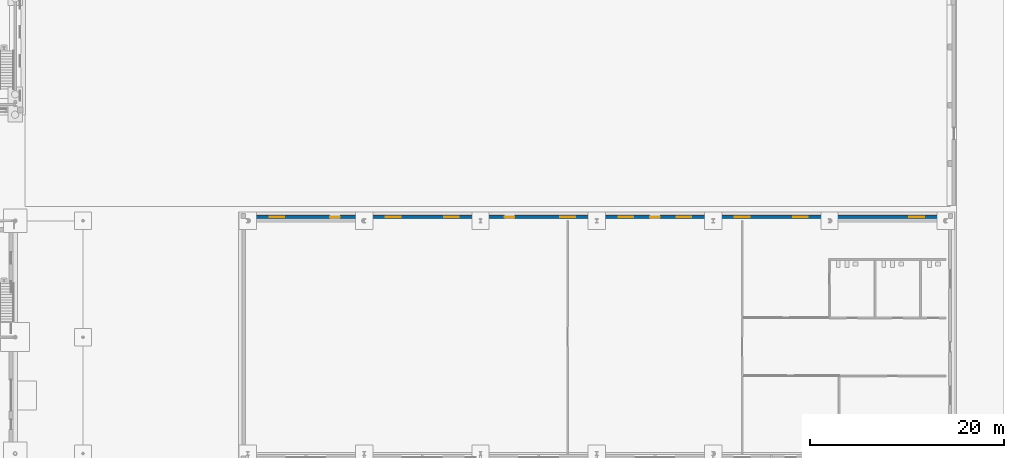
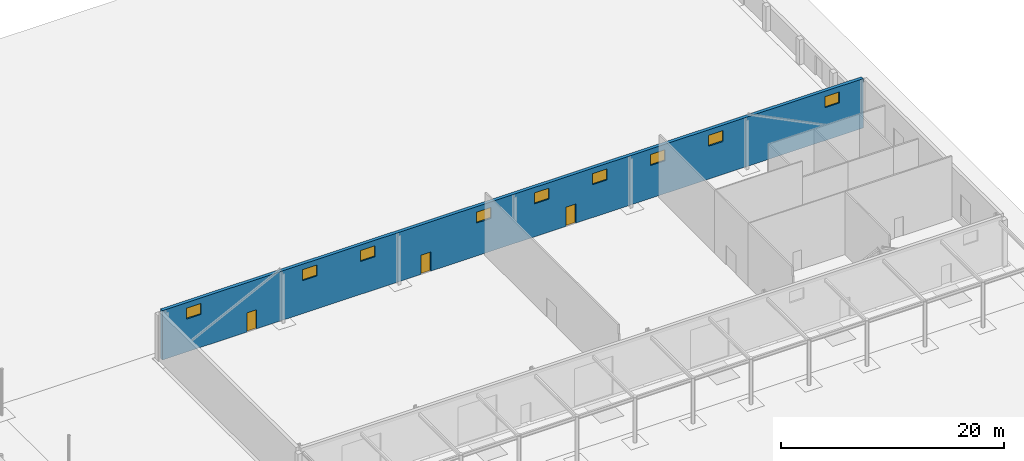
# One storey, part 84 of 132: 9 windows, 3 doors, 1 wall, 12 openings.
"""IFC4 building model written with IfcOpenShell, lengths in metres."""

from ifc_helpers import new_model, si_unit, direction, frame, frame_2d, origin, place, context, subcontext, project, spatial, rectangle, extrude, material, layer, layer_set, type_object, element, fill, save


model = new_model("IFC4")

# Units and contexts
model_context = context("Model", 3, precision=1e-05, world=origin(), true_north=direction((0.0, 1.0)))
body_context = subcontext(model_context, "Body", "Model", "MODEL_VIEW")
ifc_project = project(units=[si_unit("LENGTHUNIT", "METRE"), si_unit("AREAUNIT", "SQUARE_METRE"), si_unit("VOLUMEUNIT", "CUBIC_METRE"), si_unit("PLANEANGLEUNIT", "RADIAN"), si_unit("MASSUNIT", "GRAM", prefix="KILO")], contexts=[model_context])

# Site, building, storey
site_placement = place(None, origin())
site = spatial("IfcSite", under=ifc_project, at=site_placement, CompositionType="ELEMENT")
building_placement = place(site_placement, origin())
building = spatial("IfcBuilding", under=site, at=building_placement, Name="Ravi Spectrum Wholesale Market", CompositionType="ELEMENT")
storey_placement = place(building_placement, origin())
storey = spatial("IfcBuildingStorey", under=building, at=storey_placement, Name="L00", CompositionType="ELEMENT", Elevation=0.0)

# Wall, openings, windows, doors
ifc_material_1 = material(Name="Clinker brickwork", Category="masonry")
ifc_layer = layer(ifc_material_1, 0.340087890625)
ifc_layer_set = layer_set([ifc_layer], Name="Clinker brickwork")
wall_type = type_object("IfcWallType", Name="Brick 340 clinker", PredefinedType="SOLIDWALL", material=ifc_layer_set)
wall_placement = place(storey_placement, frame((294.25, 186.419921875, 0.0), z_axis=(0.0, 0.0, 1.0), x_axis=(-1.0, 0.0, 0.0)))
wall = element("IfcWall", 1, at=wall_placement, inside=storey, type_object=wall_type, Name="GS-WL-L00-003", PredefinedType="SOLIDWALL", context=body_context, shape_type="SweptSolid", body=[
    extrude(rectangle(XDim=72.5, YDim=0.340087890625, at=frame_2d((36.25, 0.0))), origin(), (0.0, 0.0, 1.0), 5.39990234375),
])
opening_1_placement = place(wall_placement, frame((30.75, 0.0, 0.0), z_axis=(0.0, 0.0, 1.0), x_axis=(-1.0, 0.0, 0.0)))
opening_1 = element("IfcOpeningElement", 2, at=opening_1_placement, cuts=wall, Name="Opening D720", PredefinedType="OPENING", context=body_context, shape_type="SweptSolid", body=[
    extrude(rectangle(XDim=1.0, YDim=2.10009765625, at=frame_2d((0.5, 1.050048828125))), frame((0.0, 0.179931640625, 0.0), z_axis=(0.0, -1.0, 0.0), x_axis=(1.0, 0.0, 0.0)), (0.0, 0.0, 1.0), 0.360107421875),
])
opening_2_placement = place(wall_placement, frame((45.75, 0.0, 0.0), z_axis=(0.0, 0.0, 1.0), x_axis=(-1.0, 0.0, 0.0)))
opening_2 = element("IfcOpeningElement", 3, at=opening_2_placement, cuts=wall, Name="Opening D717", PredefinedType="OPENING", context=body_context, shape_type="SweptSolid", body=[
    extrude(rectangle(XDim=1.0, YDim=2.10009765625, at=frame_2d((0.5, 1.050048828125))), frame((0.0, 0.179931640625, 0.0), z_axis=(0.0, -1.0, 0.0), x_axis=(1.0, 0.0, 0.0)), (0.0, 0.0, 1.0), 0.360107421875),
])
opening_3_placement = place(wall_placement, frame((63.75, 0.0, 0.0), z_axis=(0.0, 0.0, 1.0), x_axis=(-1.0, 0.0, 0.0)))
opening_3 = element("IfcOpeningElement", 4, at=opening_3_placement, cuts=wall, Name="Opening D716", PredefinedType="OPENING", context=body_context, shape_type="SweptSolid", body=[
    extrude(rectangle(XDim=1.0, YDim=2.10009765625, at=frame_2d((0.5, 1.050048828125))), frame((0.0, 0.179931640625, 0.0), z_axis=(0.0, -1.0, 0.0), x_axis=(1.0, 0.0, 0.0)), (0.0, 0.0, 1.0), 0.360107421875),
])
opening_4_placement = place(wall_placement, frame((2.5, 0.0, 3.60009765625)))
opening_4 = element("IfcOpeningElement", 5, at=opening_4_placement, cuts=wall, Name="Opening W3605", PredefinedType="OPENING", context=body_context, shape_type="SweptSolid", body=[
    extrude(rectangle(XDim=1.5, YDim=1.199951171875, at=frame_2d((0.75, 0.60009765625))), frame((0.0, 0.179931640625, 0.0), z_axis=(0.0, -1.0, 0.0), x_axis=(1.0, 0.0, 0.0)), (0.0, 0.0, 1.0), 0.360107421875),
])
opening_5_placement = place(wall_placement, frame((14.5, 0.0, 3.60009765625)))
opening_5 = element("IfcOpeningElement", 6, at=opening_5_placement, cuts=wall, Name="Opening W3607", PredefinedType="OPENING", context=body_context, shape_type="SweptSolid", body=[
    extrude(rectangle(XDim=1.5, YDim=1.199951171875, at=frame_2d((0.75, 0.60009765625))), frame((0.0, 0.179931640625, 0.0), z_axis=(0.0, -1.0, 0.0), x_axis=(1.0, 0.0, 0.0)), (0.0, 0.0, 1.0), 0.360107421875),
])
opening_6_placement = place(wall_placement, frame((20.5, 0.0, 3.60009765625)))
opening_6 = element("IfcOpeningElement", 7, at=opening_6_placement, cuts=wall, Name="Opening W3608", PredefinedType="OPENING", context=body_context, shape_type="SweptSolid", body=[
    extrude(rectangle(XDim=1.5, YDim=1.199951171875, at=frame_2d((0.75, 0.60009765625))), frame((0.0, 0.179931640625, 0.0), z_axis=(0.0, -1.0, 0.0), x_axis=(1.0, 0.0, 0.0)), (0.0, 0.0, 1.0), 0.360107421875),
])
opening_7_placement = place(wall_placement, frame((26.5, 0.0, 3.60009765625)))
opening_7 = element("IfcOpeningElement", 8, at=opening_7_placement, cuts=wall, Name="Opening W3609", PredefinedType="OPENING", context=body_context, shape_type="SweptSolid", body=[
    extrude(rectangle(XDim=1.5, YDim=1.199951171875, at=frame_2d((0.75, 0.60009765625))), frame((0.0, 0.179931640625, 0.0), z_axis=(0.0, -1.0, 0.0), x_axis=(1.0, 0.0, 0.0)), (0.0, 0.0, 1.0), 0.360107421875),
])
opening_8_placement = place(wall_placement, frame((32.5, 0.0, 3.60009765625)))
opening_8 = element("IfcOpeningElement", 9, at=opening_8_placement, cuts=wall, Name="Opening W3610", PredefinedType="OPENING", context=body_context, shape_type="SweptSolid", body=[
    extrude(rectangle(XDim=1.5, YDim=1.199951171875, at=frame_2d((0.75, 0.60009765625))), frame((0.0, 0.179931640625, 0.0), z_axis=(0.0, -1.0, 0.0), x_axis=(1.0, 0.0, 0.0)), (0.0, 0.0, 1.0), 0.360107421875),
])
opening_9_placement = place(wall_placement, frame((38.5, 0.0, 3.60009765625)))
opening_9 = element("IfcOpeningElement", 10, at=opening_9_placement, cuts=wall, Name="Opening W3611", PredefinedType="OPENING", context=body_context, shape_type="SweptSolid", body=[
    extrude(rectangle(XDim=1.5, YDim=1.199951171875, at=frame_2d((0.75, 0.60009765625))), frame((0.0, 0.179931640625, 0.0), z_axis=(0.0, -1.0, 0.0), x_axis=(1.0, 0.0, 0.0)), (0.0, 0.0, 1.0), 0.360107421875),
])
opening_10_placement = place(wall_placement, frame((50.5, 0.0, 3.60009765625)))
opening_10 = element("IfcOpeningElement", 11, at=opening_10_placement, cuts=wall, Name="Opening W3612", PredefinedType="OPENING", context=body_context, shape_type="SweptSolid", body=[
    extrude(rectangle(XDim=1.5, YDim=1.199951171875, at=frame_2d((0.75, 0.60009765625))), frame((0.0, 0.179931640625, 0.0), z_axis=(0.0, -1.0, 0.0), x_axis=(1.0, 0.0, 0.0)), (0.0, 0.0, 1.0), 0.360107421875),
])
opening_11_placement = place(wall_placement, frame((56.5, 0.0, 3.60009765625)))
opening_11 = element("IfcOpeningElement", 12, at=opening_11_placement, cuts=wall, Name="Opening W3613", PredefinedType="OPENING", context=body_context, shape_type="SweptSolid", body=[
    extrude(rectangle(XDim=1.5, YDim=1.199951171875, at=frame_2d((0.75, 0.60009765625))), frame((0.0, 0.179931640625, 0.0), z_axis=(0.0, -1.0, 0.0), x_axis=(1.0, 0.0, 0.0)), (0.0, 0.0, 1.0), 0.360107421875),
])
opening_12_placement = place(wall_placement, frame((68.5, 0.0, 3.60009765625)))
opening_12 = element("IfcOpeningElement", 13, at=opening_12_placement, cuts=wall, Name="Opening W3614", PredefinedType="OPENING", context=body_context, shape_type="SweptSolid", body=[
    extrude(rectangle(XDim=1.5, YDim=1.199951171875, at=frame_2d((0.75, 0.60009765625))), frame((0.0, 0.179931640625, 0.0), z_axis=(0.0, -1.0, 0.0), x_axis=(1.0, 0.0, 0.0)), (0.0, 0.0, 1.0), 0.360107421875),
])
ifc_material_2 = material(Name="Steel window frame", Category="steel")
window_type = type_object("IfcWindowType", Name="High level store window 1500 x 1200", PartitioningType="SINGLE_PANEL", PredefinedType="WINDOW", material=ifc_material_2)
window_1_placement = place(opening_4_placement, origin())
window_1 = element("IfcWindow", 14, at=window_1_placement, inside=storey, type_object=window_type, Name="Window W3605", OverallHeight=1.199951171875, OverallWidth=1.5, PartitioningType="SINGLE_PANEL", PredefinedType="WINDOW", context=body_context, shape_type="SweptSolid", body=[
    extrude(rectangle(XDim=1.5, YDim=1.199951171875, at=frame_2d((0.75, 0.60009765625))), frame((0.0, 0.030029296875, 0.0), z_axis=(0.0, -1.0, 0.0), x_axis=(1.0, 0.0, 0.0)), (0.0, 0.0, 1.0), 0.06005859375),
])
fill(opening_4, window_1)
window_2_placement = place(opening_5_placement, origin())
window_2 = element("IfcWindow", 15, at=window_2_placement, inside=storey, type_object=window_type, Name="Window W3607", OverallHeight=1.199951171875, OverallWidth=1.5, PartitioningType="SINGLE_PANEL", PredefinedType="WINDOW", context=body_context, shape_type="SweptSolid", body=[
    extrude(rectangle(XDim=1.5, YDim=1.199951171875, at=frame_2d((0.75, 0.60009765625))), frame((0.0, 0.030029296875, 0.0), z_axis=(0.0, -1.0, 0.0), x_axis=(1.0, 0.0, 0.0)), (0.0, 0.0, 1.0), 0.06005859375),
])
fill(opening_5, window_2)
window_3_placement = place(opening_6_placement, origin())
window_3 = element("IfcWindow", 16, at=window_3_placement, inside=storey, type_object=window_type, Name="Window W3608", OverallHeight=1.199951171875, OverallWidth=1.5, PartitioningType="SINGLE_PANEL", PredefinedType="WINDOW", context=body_context, shape_type="SweptSolid", body=[
    extrude(rectangle(XDim=1.5, YDim=1.199951171875, at=frame_2d((0.75, 0.60009765625))), frame((0.0, 0.030029296875, 0.0), z_axis=(0.0, -1.0, 0.0), x_axis=(1.0, 0.0, 0.0)), (0.0, 0.0, 1.0), 0.06005859375),
])
fill(opening_6, window_3)
window_4_placement = place(opening_7_placement, origin())
window_4 = element("IfcWindow", 17, at=window_4_placement, inside=storey, type_object=window_type, Name="Window W3609", OverallHeight=1.199951171875, OverallWidth=1.5, PartitioningType="SINGLE_PANEL", PredefinedType="WINDOW", context=body_context, shape_type="SweptSolid", body=[
    extrude(rectangle(XDim=1.5, YDim=1.199951171875, at=frame_2d((0.75, 0.60009765625))), frame((0.0, 0.030029296875, 0.0), z_axis=(0.0, -1.0, 0.0), x_axis=(1.0, 0.0, 0.0)), (0.0, 0.0, 1.0), 0.06005859375),
])
fill(opening_7, window_4)
window_5_placement = place(opening_8_placement, origin())
window_5 = element("IfcWindow", 18, at=window_5_placement, inside=storey, type_object=window_type, Name="Window W3610", OverallHeight=1.199951171875, OverallWidth=1.5, PartitioningType="SINGLE_PANEL", PredefinedType="WINDOW", context=body_context, shape_type="SweptSolid", body=[
    extrude(rectangle(XDim=1.5, YDim=1.199951171875, at=frame_2d((0.75, 0.60009765625))), frame((0.0, 0.030029296875, 0.0), z_axis=(0.0, -1.0, 0.0), x_axis=(1.0, 0.0, 0.0)), (0.0, 0.0, 1.0), 0.06005859375),
])
fill(opening_8, window_5)
window_6_placement = place(opening_9_placement, origin())
window_6 = element("IfcWindow", 19, at=window_6_placement, inside=storey, type_object=window_type, Name="Window W3611", OverallHeight=1.199951171875, OverallWidth=1.5, PartitioningType="SINGLE_PANEL", PredefinedType="WINDOW", context=body_context, shape_type="SweptSolid", body=[
    extrude(rectangle(XDim=1.5, YDim=1.199951171875, at=frame_2d((0.75, 0.60009765625))), frame((0.0, 0.030029296875, 0.0), z_axis=(0.0, -1.0, 0.0), x_axis=(1.0, 0.0, 0.0)), (0.0, 0.0, 1.0), 0.06005859375),
])
fill(opening_9, window_6)
window_7_placement = place(opening_10_placement, origin())
window_7 = element("IfcWindow", 20, at=window_7_placement, inside=storey, type_object=window_type, Name="Window W3612", OverallHeight=1.199951171875, OverallWidth=1.5, PartitioningType="SINGLE_PANEL", PredefinedType="WINDOW", context=body_context, shape_type="SweptSolid", body=[
    extrude(rectangle(XDim=1.5, YDim=1.199951171875, at=frame_2d((0.75, 0.60009765625))), frame((0.0, 0.030029296875, 0.0), z_axis=(0.0, -1.0, 0.0), x_axis=(1.0, 0.0, 0.0)), (0.0, 0.0, 1.0), 0.06005859375),
])
fill(opening_10, window_7)
window_8_placement = place(opening_11_placement, origin())
window_8 = element("IfcWindow", 21, at=window_8_placement, inside=storey, type_object=window_type, Name="Window W3613", OverallHeight=1.199951171875, OverallWidth=1.5, PartitioningType="SINGLE_PANEL", PredefinedType="WINDOW", context=body_context, shape_type="SweptSolid", body=[
    extrude(rectangle(XDim=1.5, YDim=1.199951171875, at=frame_2d((0.75, 0.60009765625))), frame((0.0, 0.030029296875, 0.0), z_axis=(0.0, -1.0, 0.0), x_axis=(1.0, 0.0, 0.0)), (0.0, 0.0, 1.0), 0.06005859375),
])
fill(opening_11, window_8)
window_9_placement = place(opening_12_placement, origin())
window_9 = element("IfcWindow", 22, at=window_9_placement, inside=storey, type_object=window_type, Name="Window W3614", OverallHeight=1.199951171875, OverallWidth=1.5, PartitioningType="SINGLE_PANEL", PredefinedType="WINDOW", context=body_context, shape_type="SweptSolid", body=[
    extrude(rectangle(XDim=1.5, YDim=1.199951171875, at=frame_2d((0.75, 0.60009765625))), frame((0.0, 0.030029296875, 0.0), z_axis=(0.0, -1.0, 0.0), x_axis=(1.0, 0.0, 0.0)), (0.0, 0.0, 1.0), 0.06005859375),
])
fill(opening_12, window_9)
ifc_material_3 = material(Name="Steel door", Category="steel")
door_type = type_object("IfcDoorType", Name="Pedestrian exit door 1000 x 2100", OperationType="SINGLE_SWING_LEFT", PredefinedType="DOOR", material=ifc_material_3)
door_1_placement = place(opening_1_placement, origin())
door_1 = element("IfcDoor", 23, at=door_1_placement, inside=storey, type_object=door_type, Name="Door D720", OperationType="SINGLE_SWING_LEFT", OverallHeight=2.10009765625, OverallWidth=1.0, PredefinedType="DOOR", context=body_context, shape_type="SweptSolid", body=[
    extrude(rectangle(XDim=1.0, YDim=2.10009765625, at=frame_2d((0.5, 1.050048828125))), frame((0.0, 0.02490234375, 0.0), z_axis=(0.0, -1.0, 0.0), x_axis=(1.0, 0.0, 0.0)), (0.0, 0.0, 1.0), 0.050048828125),
])
fill(opening_1, door_1)
door_2_placement = place(opening_2_placement, origin())
door_2 = element("IfcDoor", 24, at=door_2_placement, inside=storey, type_object=door_type, Name="Door D717", OperationType="SINGLE_SWING_RIGHT", OverallHeight=2.10009765625, OverallWidth=1.0, PredefinedType="DOOR", context=body_context, shape_type="SweptSolid", body=[
    extrude(rectangle(XDim=1.0, YDim=2.10009765625, at=frame_2d((0.5, 1.050048828125))), frame((0.0, 0.02490234375, 0.0), z_axis=(0.0, -1.0, 0.0), x_axis=(1.0, 0.0, 0.0)), (0.0, 0.0, 1.0), 0.050048828125),
])
fill(opening_2, door_2)
door_3_placement = place(opening_3_placement, origin())
door_3 = element("IfcDoor", 25, at=door_3_placement, inside=storey, type_object=door_type, Name="Door D716", OperationType="SINGLE_SWING_LEFT", OverallHeight=2.10009765625, OverallWidth=1.0, PredefinedType="DOOR", context=body_context, shape_type="SweptSolid", body=[
    extrude(rectangle(XDim=1.0, YDim=2.10009765625, at=frame_2d((0.5, 1.050048828125))), frame((0.0, 0.02490234375, 0.0), z_axis=(0.0, -1.0, 0.0), x_axis=(1.0, 0.0, 0.0)), (0.0, 0.0, 1.0), 0.050048828125),
])
fill(opening_3, door_3)

save(model, "model.ifc")
